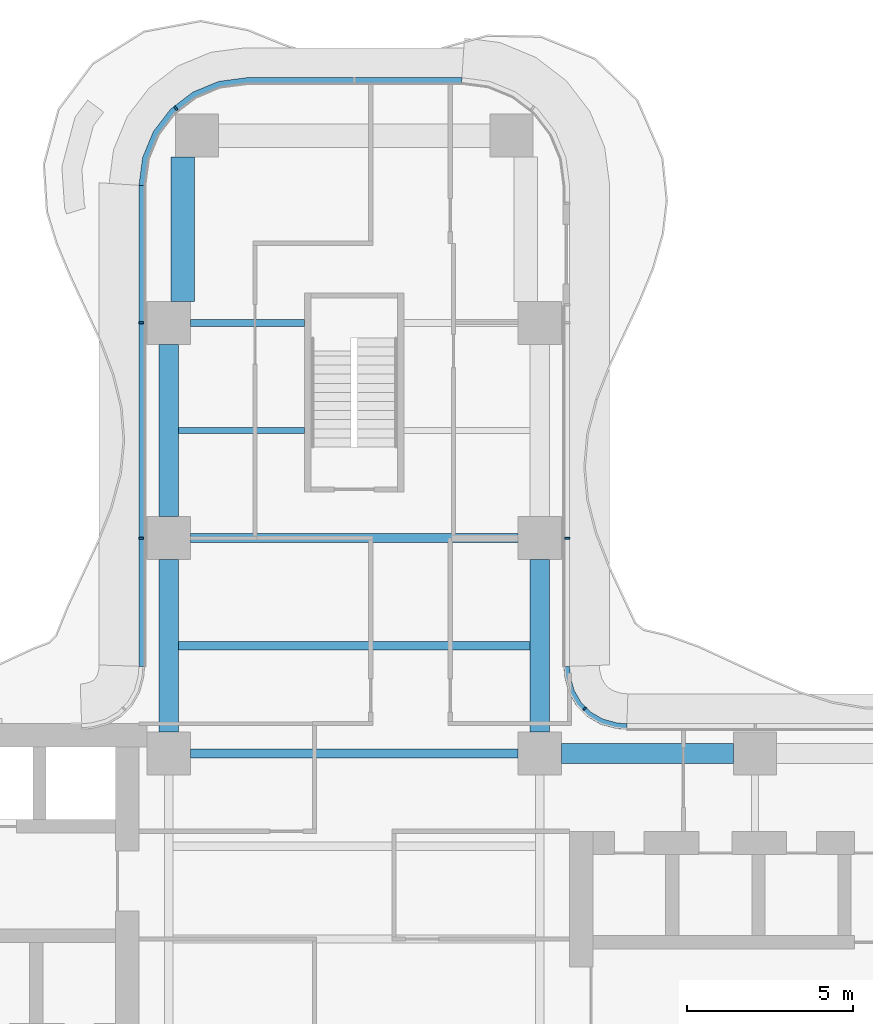
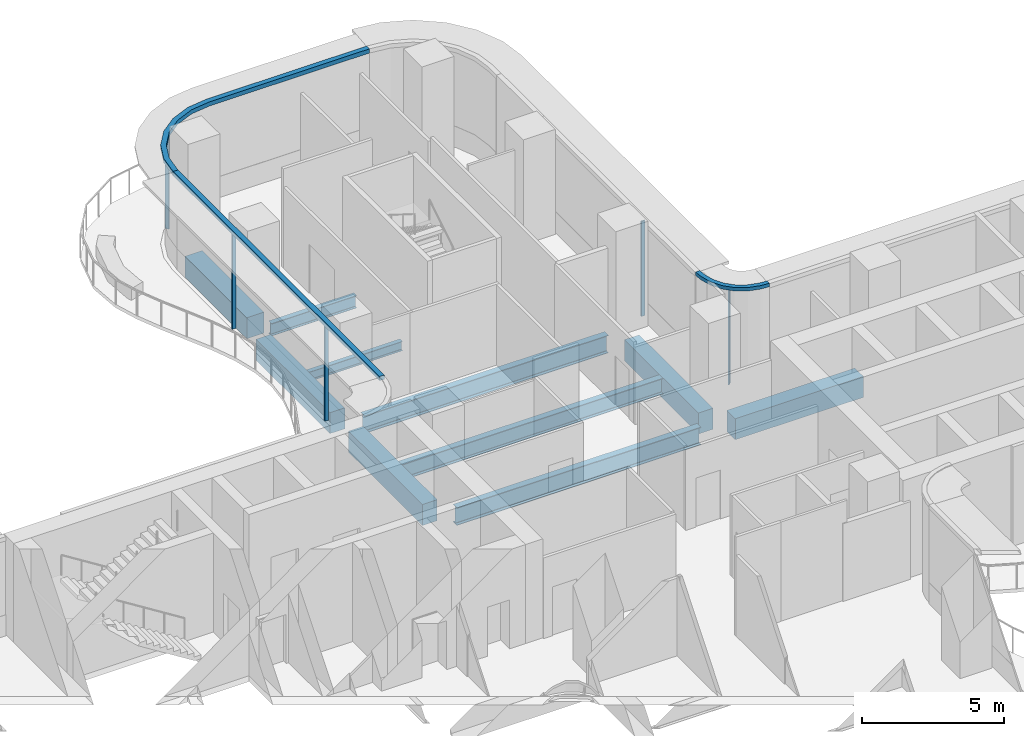
# One storey, part 9 of 20: 10 beams, 8 members, 4 elements without a shape of their own.
"""IFC4 building model written with IfcOpenShell, lengths in metres."""

from ifc_helpers import new_model, si_unit, direction, frame, origin, origin_2d, place, context, subcontext, project, spatial, polyline, rectangle, i_section, outline, extrude, source, transform, mapped, material, layer, layer_set, material_profile, profile_set, type_object, element, aggregate, save


model = new_model("IFC4")

# Units and contexts
model_context = context("Model", 3, precision=1e-05, world=origin(), true_north=direction((0.0, 1.0)))
body_context = subcontext(model_context, "Body", "Model", "MODEL_VIEW")
ifc_project = project(units=[si_unit("LENGTHUNIT", "METRE"), si_unit("AREAUNIT", "SQUARE_METRE"), si_unit("VOLUMEUNIT", "CUBIC_METRE"), si_unit("PLANEANGLEUNIT", "RADIAN"), si_unit("MASSUNIT", "GRAM", prefix="KILO")], contexts=[model_context])

# Site, building, storey
site_placement = place(None, origin())
site = spatial("IfcSite", under=ifc_project, at=site_placement, CompositionType="ELEMENT")
building_placement = place(site_placement, origin())
building = spatial("IfcBuilding", under=site, at=building_placement, Name="Trellis Farm Tower", CompositionType="ELEMENT")
storey_placement = place(building_placement, frame((0.0, 0.0, 129.0)))
storey = spatial("IfcBuildingStorey", under=building, at=storey_placement, Name="L27", CompositionType="ELEMENT", Elevation=129.0)

# Beams
ifc_material_1 = material(Name="Steel S355", Category="steel")
ifc_material_profile_1 = material_profile(ifc_material_1, i_section(OverallWidth=0.177978515625, OverallDepth=0.406494140625, WebThickness=0.0078125, FlangeThickness=0.0126953125, FilletRadius=0.01025390625, at=origin_2d()), Name="UB 406x178x60")
ifc_profile_set_1 = profile_set([ifc_material_profile_1], Name="Steel S355")
beam_type_1 = type_object("IfcBeamType", Name="UB 406x178x60 joist", PredefinedType="JOIST", material=ifc_profile_set_1)
shared_shape_1 = source(origin(), body_context, "Body", "SweptSolid", [
    extrude(i_section(OverallWidth=0.177978515625, OverallDepth=0.406494140625, WebThickness=0.0078125, FlangeThickness=0.0126953125, FilletRadius=0.01025390625, at=origin_2d()), origin(), (0.0, 0.0, 1.0), 3.800048828125),
])
beam_1_placement = place(storey_placement, frame((-5.300048828125, 15.35009765625, -0.453125), z_axis=(1.0, 0.0, 0.0), x_axis=(0.0, 1.0, 0.0)))
element("IfcBeam", 1, at=beam_1_placement, inside=storey, type_object=beam_type_1, Name="Floor beam", PredefinedType="JOIST", context=body_context, shape_type="MappedRepresentation", body=[
    mapped(shared_shape_1, transform((0.0, 0.0, 0.0))),
])
ifc_material_profile_2 = material_profile(ifc_material_1, i_section(OverallWidth=0.253662109375, OverallDepth=0.68359375, WebThickness=0.012451171875, FlangeThickness=0.021728515625, FilletRadius=0.01513671875, at=origin_2d()), Name="UB 686x254x140")
ifc_profile_set_2 = profile_set([ifc_material_profile_2], Name="Steel S355")
beam_type_2 = type_object("IfcBeamType", Name="UB 686x254x140 joist", PredefinedType="JOIST", material=ifc_profile_set_2)
shared_shape_2 = source(origin(), body_context, "Body", "SweptSolid", [
    extrude(i_section(OverallWidth=0.253662109375, OverallDepth=0.68359375, WebThickness=0.012451171875, FlangeThickness=0.021728515625, FilletRadius=0.01513671875, at=origin_2d()), origin(), (0.0, 0.0, 1.0), 10.60009765625),
])
beam_2_placement = place(storey_placement, frame((-5.300048828125, 8.85009765625, -0.591796875), z_axis=(1.0, 0.0, 0.0), x_axis=(0.0, 1.0, 0.0)))
element("IfcBeam", 2, at=beam_2_placement, inside=storey, type_object=beam_type_2, Name="Floor beam", PredefinedType="JOIST", context=body_context, shape_type="MappedRepresentation", body=[
    mapped(shared_shape_2, transform((0.0, 0.0, 0.0))),
])
ifc_material_profile_3 = material_profile(ifc_material_1, i_section(OverallWidth=0.209228515625, OverallDepth=0.533203125, WebThickness=0.010009765625, FlangeThickness=0.015625, FilletRadius=0.0126953125, at=origin_2d()), Name="UB 533x210x92")
ifc_profile_set_3 = profile_set([ifc_material_profile_3], Name="Steel S355")
beam_type_3 = type_object("IfcBeamType", Name="UB 533x210x92", PredefinedType="BEAM", material=ifc_profile_set_3)
shared_shape_3 = source(origin(), body_context, "Body", "SweptSolid", [
    extrude(i_section(OverallWidth=0.209228515625, OverallDepth=0.533203125, WebThickness=0.010009765625, FlangeThickness=0.015625, FilletRadius=0.0126953125, at=origin_2d()), origin(), (0.0, 0.0, 1.0), 3.449951171875),
])
beam_3_placement = place(storey_placement, frame((-4.949951171875, 18.60009765625, -0.5166015625), z_axis=(1.0, 0.0, 0.0), x_axis=(0.0, 1.0, 0.0)))
element("IfcBeam", 3, at=beam_3_placement, inside=storey, type_object=beam_type_3, Name="Girder", PredefinedType="BEAM", context=body_context, shape_type="MappedRepresentation", body=[
    mapped(shared_shape_3, transform((0.0, 0.0, 0.0))),
])
ifc_material_profile_4 = material_profile(ifc_material_1, i_section(OverallWidth=0.2666015625, OverallDepth=0.76220703125, WebThickness=0.014404296875, FlangeThickness=0.021484375, FilletRadius=0.0166015625, at=origin_2d()), Name="UB 762x267x173")
ifc_profile_set_4 = profile_set([ifc_material_profile_4], Name="Steel S355")
beam_type_4 = type_object("IfcBeamType", Name="UB 762x267x173", PredefinedType="BEAM", material=ifc_profile_set_4)
shared_shape_4 = source(origin(), body_context, "Body", "SweptSolid", [
    extrude(i_section(OverallWidth=0.2666015625, OverallDepth=0.76220703125, WebThickness=0.014404296875, FlangeThickness=0.021484375, FilletRadius=0.0166015625, at=origin_2d()), origin(), (0.0, 0.0, 1.0), 9.89990234375),
])
for number, where, z_axis, x_axis, name in (
    (4, (-4.949951171875, 5.60009765625, -0.631103515625), (1.0, 0.0, 0.0), (0.0, 1.0, 0.0), "Girder"),
    (5, (-4.949951171875, 12.10009765625, -0.631103515625), (1.0, 0.0, 0.0), (0.0, 1.0, 0.0), "Girder"),
):
    element("IfcBeam", number, at=place(storey_placement, frame(where, z_axis=z_axis, x_axis=x_axis)), inside=storey, type_object=beam_type_4, Name=name, PredefinedType="BEAM", context=body_context, shape_type="MappedRepresentation", body=[
        mapped(shared_shape_4, transform((0.0, 0.0, 0.0))),
    ])
ifc_material_2 = material(Name="Concrete C60/75", Category="concrete")
ifc_material_profile_5 = material_profile(ifc_material_2, rectangle(XDim=0.60009765625, YDim=0.89990234375, at=origin_2d()), Name="RC spandrel beam 600x900 C60/75")
ifc_profile_set_5 = profile_set([ifc_material_profile_5], Name="Concrete C60/75")
beam_type_5 = type_object("IfcBeamType", Name="RC spandrel beam 600x900 C60/75", PredefinedType="SPANDREL", material=ifc_profile_set_5)
shared_shape_5 = source(origin(), body_context, "Body", "SweptSolid", [
    extrude(rectangle(XDim=0.60009765625, YDim=0.89990234375, at=origin_2d()), origin(), (0.0, 0.0, 1.0), 5.199951171875),
])
for number, where, z_axis, x_axis, name in (
    (6, (6.25, 5.60009765625, -0.699951171875), (1.0, 0.0, 0.0), (0.0, 1.0, 0.0), "Girder"),
    (7, (-5.60009765625, 6.25, -0.699951171875), (0.0, 1.0, 0.0), (-1.0, 0.0, 0.0), "Girder"),
    (8, (-5.60009765625, 12.75, -0.699951171875), (0.0, 1.0, 0.0), (-1.0, 0.0, 0.0), "Girder"),
    (9, (5.60009765625, 6.25, -0.699951171875), (0.0, 1.0, 0.0), (-1.0, 0.0, 0.0), "Girder"),
):
    element("IfcBeam", number, at=place(storey_placement, frame(where, z_axis=z_axis, x_axis=x_axis)), inside=storey, type_object=beam_type_5, Name=name, PredefinedType="SPANDREL", context=body_context, shape_type="MappedRepresentation", body=[
        mapped(shared_shape_5, transform((0.0, 0.0, 0.0))),
    ])
ifc_material_profile_6 = material_profile(ifc_material_2, rectangle(XDim=0.699951171875, YDim=0.89990234375, at=origin_2d()), Name="RC spandrel beam 700x900 C60/75")
ifc_profile_set_6 = profile_set([ifc_material_profile_6], Name="Concrete C60/75")
beam_type_6 = type_object("IfcBeamType", Name="RC spandrel beam 700x900 C60/75", PredefinedType="SPANDREL", material=ifc_profile_set_6)
shared_shape_6 = source(origin(), body_context, "Body", "SweptSolid", [
    extrude(rectangle(XDim=0.699951171875, YDim=0.89990234375, at=origin_2d()), origin(), (0.0, 0.0, 1.0), 4.35009765625),
])
beam_4_placement = place(storey_placement, frame((-5.175048828125, 19.25, -0.699951171875), z_axis=(0.0, 1.0, 0.0), x_axis=(-1.0, 0.0, 0.0)))
element("IfcBeam", 10, at=beam_4_placement, inside=storey, type_object=beam_type_6, Name="Girder", PredefinedType="SPANDREL", context=body_context, shape_type="MappedRepresentation", body=[
    mapped(shared_shape_6, transform((0.0, 0.0, 0.0))),
])

# Curtain wall, member
ifc_material_3 = material(Name="Aluminium and glass curtain wall", Category="aluminium")
ifc_layer_1 = layer(ifc_material_3, 0.18994140625)
ifc_layer_set_1 = layer_set([ifc_layer_1], Name="RIBBON CURTAIN WALL CW1")
curtain_wall_type_1 = type_object("IfcCurtainWallType", Name="RIBBON CURTAIN WALL CW1", PredefinedType="NOTDEFINED", material=ifc_layer_set_1)
placement_1 = place(storey_placement, origin())
curtain_wall_1 = element("IfcCurtainWall", 11, at=placement_1, inside=storey, type_object=curtain_wall_type_1, Name="CW1 008", PredefinedType="NOTDEFINED")
ifc_material_4 = material(Name="Aluminium extrusion 6063-T6", Category="aluminium")
ifc_material_profile_7 = material_profile(ifc_material_4, rectangle(XDim=0.06005859375, YDim=0.14990234375, at=origin_2d()), Name="MULLION 60x150")
ifc_profile_set_7 = profile_set([ifc_material_profile_7], Name="Aluminium extrusion 6063-T6")
member_type_1 = type_object("IfcMemberType", Name="CW1 MULLION 60x150", PredefinedType="MULLION", material=ifc_profile_set_7)
shared_shape_7 = source(origin(), body_context, "Body", "SweptSolid", [
    extrude(rectangle(XDim=0.06005859375, YDim=0.14990234375, at=origin_2d()), origin(), (0.0, 0.0, 1.0), 4.070068359375),
])
member_1_placement = place(storey_placement, frame((6.425048828125, 12.10009765625, 0.0), z_axis=(0.0, 0.0, 1.0), x_axis=(0.0, 1.0, 0.0)))
member_1 = element("IfcMember", 12, at=member_1_placement, type_object=member_type_1, Name="MU1 008-01", PredefinedType="MULLION", context=body_context, shape_type="MappedRepresentation", body=[
    mapped(shared_shape_7, transform((0.0, 0.0, 0.0))),
])
aggregate(curtain_wall_1, [member_1])

curtain_wall_2 = element("IfcCurtainWall", 13, at=placement_1, inside=storey, type_object=curtain_wall_type_1, Name="CW1 010", PredefinedType="NOTDEFINED")
member_2_placement = place(storey_placement, frame((-5.385498046875, 25.078369140625, 0.0), z_axis=(0.0, 0.0, 1.0), x_axis=(-0.793353340291, -0.608761429009, 0.0)))
member_2 = element("IfcMember", 14, at=member_2_placement, type_object=member_type_1, Name="MU1 010-02", PredefinedType="MULLION", context=body_context, shape_type="MappedRepresentation", body=[
    mapped(shared_shape_7, transform((0.0, 0.0, 0.0))),
])

# Curtain wall, members
curtain_wall_3 = element("IfcCurtainWall", 15, at=placement_1, inside=storey, type_object=curtain_wall_type_1, Name="CW1 011", PredefinedType="NOTDEFINED")
member_3_placement = place(storey_placement, frame((-6.425048828125, 18.60009765625, 0.0), z_axis=(0.0, 0.0, 1.0), x_axis=(0.0, -1.0, 0.0)))
member_3 = element("IfcMember", 16, at=member_3_placement, type_object=member_type_1, Name="MU1 011-01", PredefinedType="MULLION", context=body_context, shape_type="MappedRepresentation", body=[
    mapped(shared_shape_7, transform((0.0, 0.0, 0.0))),
])
member_4_placement = place(storey_placement, frame((-6.425048828125, 12.10009765625, 0.0), z_axis=(0.0, 0.0, 1.0), x_axis=(0.0, -1.0, 0.0)))
member_4 = element("IfcMember", 17, at=member_4_placement, type_object=member_type_1, Name="MU1 011-02", PredefinedType="MULLION", context=body_context, shape_type="MappedRepresentation", body=[
    mapped(shared_shape_7, transform((0.0, 0.0, 0.0))),
])

ifc_layer_2 = layer(ifc_material_3, 0.166015625)
ifc_layer_set_2 = layer_set([ifc_layer_2], Name="WINTER GARDEN CURTAIN WALL CW3")
curtain_wall_type_2 = type_object("IfcCurtainWallType", Name="WINTER GARDEN CURTAIN WALL CW3", PredefinedType="NOTDEFINED", material=ifc_layer_set_2)
curtain_wall_4 = element("IfcCurtainWall", 18, at=placement_1, inside=storey, type_object=curtain_wall_type_2, Name="CW3 003", PredefinedType="NOTDEFINED")
ifc_material_profile_8 = material_profile(ifc_material_4, rectangle(XDim=0.050048828125, YDim=0.1201171875, at=origin_2d()), Name="MULLION 50x120")
ifc_profile_set_8 = profile_set([ifc_material_profile_8], Name="Aluminium extrusion 6063-T6")
member_type_2 = type_object("IfcMemberType", Name="CW3 MULLION 50x120", PredefinedType="MULLION", material=ifc_profile_set_8)
shared_shape_8 = source(origin(), body_context, "Body", "SweptSolid", [
    extrude(rectangle(XDim=0.050048828125, YDim=0.1201171875, at=origin_2d()), origin(), (0.0, 0.0, 1.0), 4.10009765625),
])
member_5_placement = place(storey_placement, frame((6.953125, 6.953125, 0.0), z_axis=(0.0, 0.0, 1.0), x_axis=(-0.707106781187, 0.707106781187, 0.0)))
member_5 = element("IfcMember", 19, at=member_5_placement, type_object=member_type_2, Name="MU3 003-01", PredefinedType="MULLION", context=body_context, shape_type="MappedRepresentation", body=[
    mapped(shared_shape_8, transform((0.0, 0.0, 0.0))),
])
ifc_layer_3 = layer(ifc_material_4, 0.169921875)
ifc_layer_set_3 = layer_set([ifc_layer_3], Name="Aluminium extrusion 6063-T6")
member_type_3 = type_object("IfcMemberType", Name="CW3 TRANSOM 170x150", PredefinedType="USERDEFINED", material=ifc_layer_set_3)
shared_shape_9 = source(origin(), body_context, "Body", "SweptSolid", [
    extrude(outline(polyline([(8.2314453125, 6.5), (8.01953125, 6.513916015625), (7.91552734375, 6.527587890625), (7.508544921875, 6.63671875), (7.144287109375, 6.846923828125), (6.846923828125, 7.144287109375), (6.63671875, 7.508544921875), (6.527587890625, 7.91552734375), (6.513916015625, 8.01953125), (6.5, 8.2314453125), (6.330078125, 8.225830078125), (6.3447265625, 8.0029296875), (6.360595703125, 7.88232421875), (6.478271484375, 7.44287109375), (6.7109375, 7.0400390625), (7.0400390625, 6.7109375), (7.44287109375, 6.478271484375), (7.88232421875, 6.360595703125), (8.0029296875, 6.3447265625), (8.225830078125, 6.330078125), (8.2314453125, 6.5)])), origin(), (0.0, 0.0, 1.0), 0.14990234375),
])
member_6_placement = place(storey_placement, frame((0.0, 0.0, 4.10009765625)))
member_6 = element("IfcMember", 20, at=member_6_placement, type_object=member_type_3, Name="TR3 003", ObjectType="TRANSOM", PredefinedType="USERDEFINED", context=body_context, shape_type="MappedRepresentation", body=[
    mapped(shared_shape_9, transform((0.0, 0.0, 0.0))),
])
aggregate(curtain_wall_4, [member_5, member_6])

# Member
ifc_layer_4 = layer(ifc_material_4, 0.199951171875)
ifc_layer_set_4 = layer_set([ifc_layer_4], Name="Aluminium extrusion 6063-T6")
member_type_4 = type_object("IfcMemberType", Name="CW1 TRANSOM 200x180", PredefinedType="USERDEFINED", material=ifc_layer_set_4)
shared_shape_10 = source(origin(), body_context, "Body", "SweptSolid", [
    extrude(outline(polyline([(-6.5, 22.75), (-6.5, 8.2314453125), (-6.300048828125, 8.224853515625), (-6.300048828125, 22.73681640625), (-6.5, 22.75)])), origin(), (0.0, 0.0, 1.0), 0.179931640625),
])
placement_2 = place(storey_placement, frame((0.0, 0.0, 4.070068359375)))
member_7 = element("IfcMember", 21, at=placement_2, type_object=member_type_4, Name="TR1 011", ObjectType="TRANSOM", PredefinedType="USERDEFINED", context=body_context, shape_type="MappedRepresentation", body=[
    mapped(shared_shape_10, transform((0.0, 0.0, 0.0))),
])

aggregate(curtain_wall_3, [member_3, member_4, member_7])

shared_shape_11 = source(origin(), body_context, "Body", "SweptSolid", [
    extrude(outline(polyline([(3.25, 26.0), (-3.25, 26.0), (-4.091064453125, 25.88916015625), (-4.875, 25.564697265625), (-5.548095703125, 25.048095703125), (-6.064697265625, 24.375), (-6.38916015625, 23.591064453125), (-6.5, 22.75), (-6.300048828125, 22.73681640625), (-6.1943359375, 23.5390625), (-5.889892578125, 24.274169921875), (-5.405517578125, 24.905517578125), (-4.774169921875, 25.389892578125), (-4.0390625, 25.6943359375), (-3.23681640625, 25.800048828125), (3.23681640625, 25.800048828125), (3.25, 26.0)])), origin(), (0.0, 0.0, 1.0), 0.179931640625),
])
member_8 = element("IfcMember", 22, at=placement_2, type_object=member_type_4, Name="TR1 010", ObjectType="TRANSOM", PredefinedType="USERDEFINED", context=body_context, shape_type="MappedRepresentation", body=[
    mapped(shared_shape_11, transform((0.0, 0.0, 0.0))),
])

aggregate(curtain_wall_2, [member_2, member_8])

save(model, "model.ifc")
